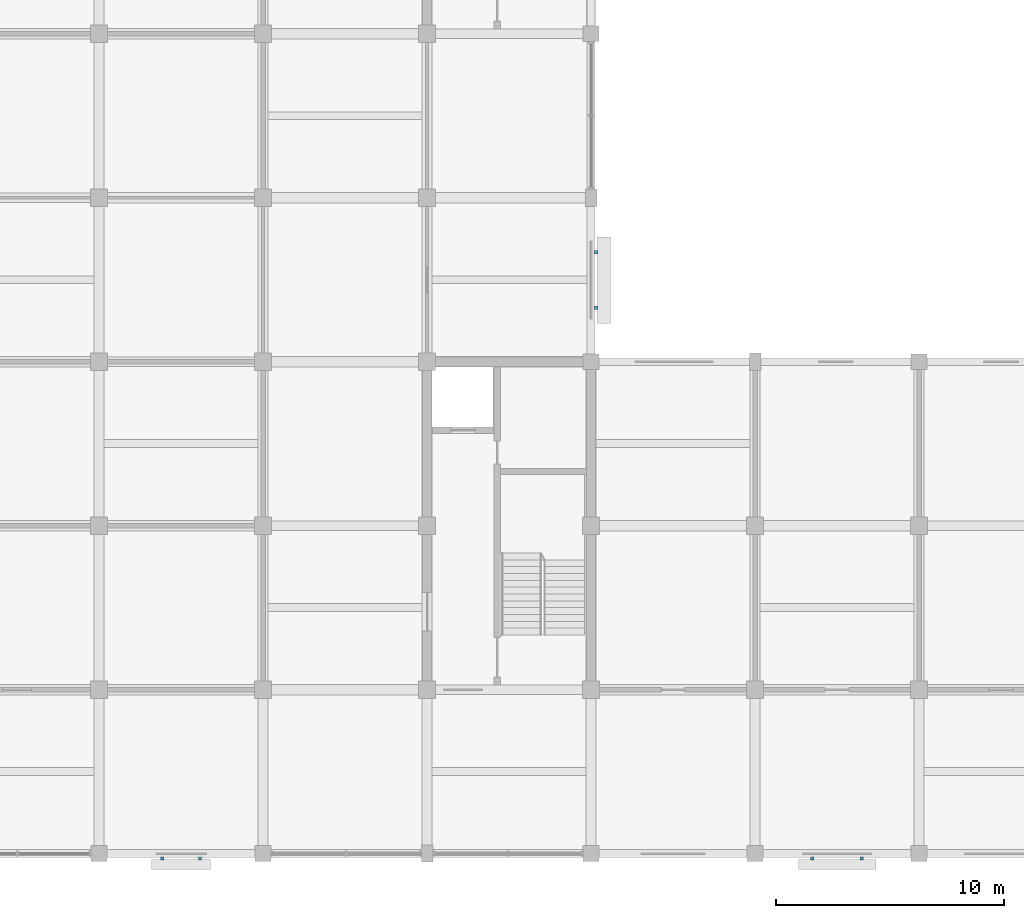
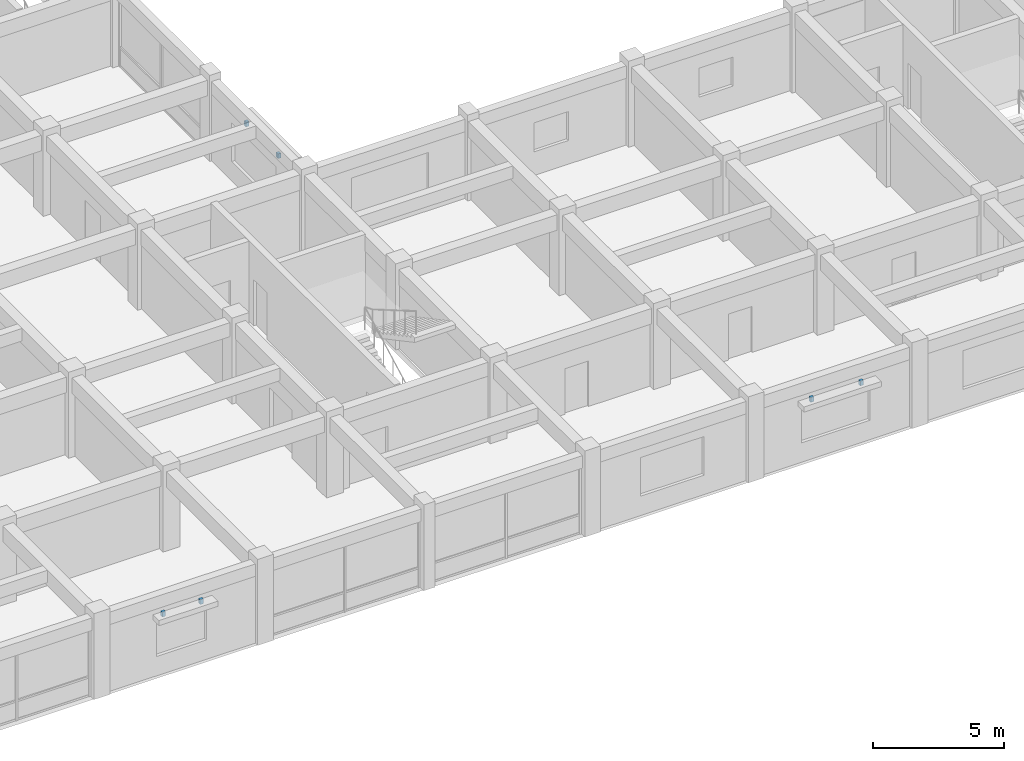
# One storey, part 21 of 25: 6 discrete accessories.
"""IFC4 building model written with IfcOpenShell, lengths in metres."""

from ifc_helpers import new_model, si_unit, direction, frame, origin, origin_2d, place, context, subcontext, project, spatial, rectangle, extrude, material, type_object, element, save


model = new_model("IFC4")

# Units and contexts
model_context = context("Model", 3, precision=1e-05, world=origin(), true_north=direction((0.0, 1.0)))
body_context = subcontext(model_context, "Body", "Model", "MODEL_VIEW")
ifc_project = project(units=[si_unit("LENGTHUNIT", "METRE"), si_unit("AREAUNIT", "SQUARE_METRE"), si_unit("VOLUMEUNIT", "CUBIC_METRE"), si_unit("PLANEANGLEUNIT", "RADIAN"), si_unit("MASSUNIT", "GRAM", prefix="KILO")], contexts=[model_context])

# Site, building, storey
site_placement = place(None, origin())
site = spatial("IfcSite", under=ifc_project, at=site_placement, CompositionType="ELEMENT")
building_placement = place(site_placement, origin())
building = spatial("IfcBuilding", under=site, at=building_placement, Name="Cendaluz Park School", CompositionType="ELEMENT")
storey_placement = place(building_placement, frame((0.0, 0.0, 18.60009765625)))
storey = spatial("IfcBuildingStorey", under=building, at=storey_placement, Name="L04", CompositionType="ELEMENT", Elevation=18.60009765625)

# Discrete accessories
ifc_material = material(Name="Steel S355", Category="steel")
discrete_accessory_type = type_object("IfcDiscreteAccessoryType", Name="BK-01", PredefinedType="BRACKET", material=ifc_material)
for number, where, z_axis, x_axis, name in (
    (1, (89.16796875, 6.989990234375, 2.72998046875), (0.0, 0.0, 1.0), (1.0, 0.0, 0.0), "BK-L04-125"),
    (2, (90.83203125, 6.989990234375, 2.72998046875), (0.0, 0.0, 1.0), (1.0, 0.0, 0.0), "BK-L04-126"),
    (3, (108.2099609375, 31.17138671875, 2.72998046875), (0.0, 0.0, 1.0), (0.0, 1.0, 0.0), "BK-L04-127"),
    (4, (108.2099609375, 33.603515625, 2.72998046875), (0.0, 0.0, 1.0), (0.0, 1.0, 0.0), "BK-L04-128"),
    (5, (117.7119140625, 6.989990234375, 2.72998046875), (0.0, 0.0, 1.0), (1.0, 0.0, 0.0), "BK-L04-131"),
    (6, (119.887939453125, 6.989990234375, 2.72998046875), (0.0, 0.0, 1.0), (1.0, 0.0, 0.0), "BK-L04-132"),
):
    element("IfcDiscreteAccessory", number, at=place(storey_placement, frame(where, z_axis=z_axis, x_axis=x_axis)), inside=storey, type_object=discrete_accessory_type, Name=name, PredefinedType="BRACKET", context=body_context, shape_type="SweptSolid", body=[
        extrude(rectangle(XDim=0.139892578125, YDim=0.139892578125, at=origin_2d()), origin(), (0.0, 0.0, 1.0), 0.219970703125),
    ])

save(model, "model.ifc")
